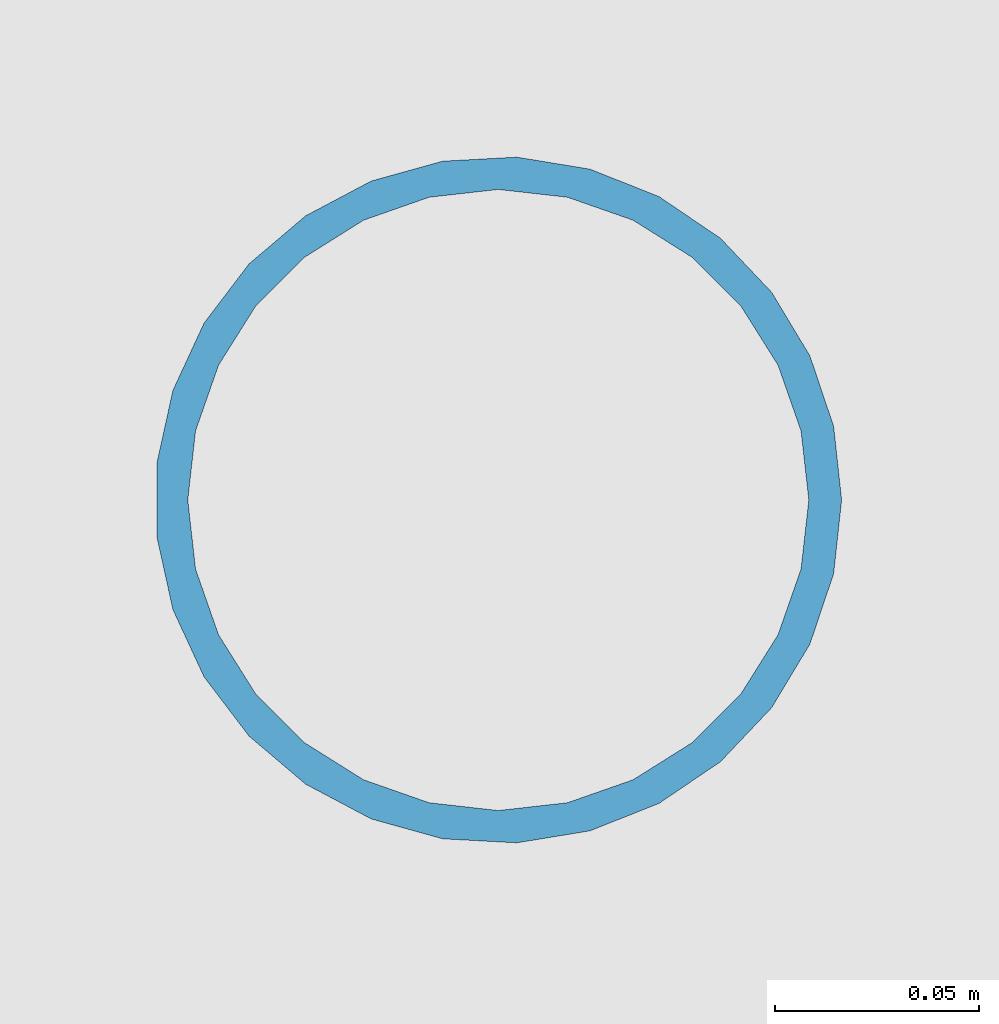
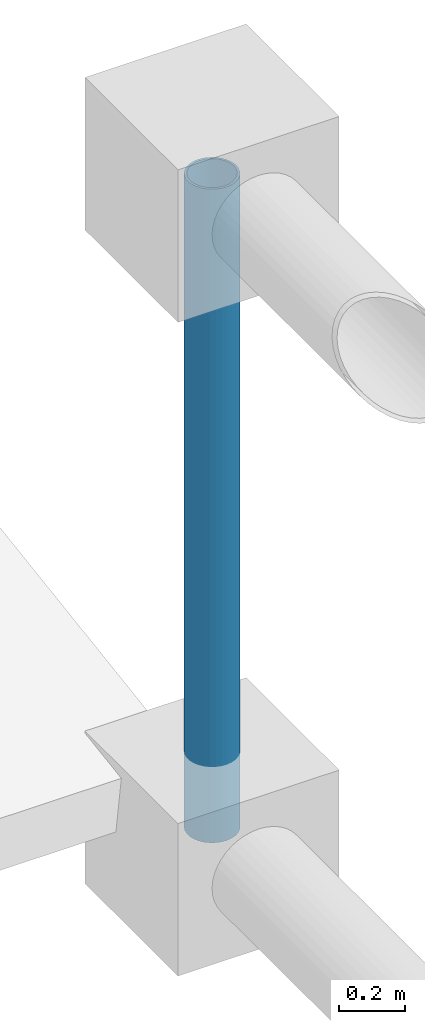
# One storey, part 96 of 148: 1 member.
"""IFC4 building model written with IfcOpenShell, lengths in metres."""

from ifc_helpers import new_model, si_unit, direction, frame, origin, origin_2d, place, context, subcontext, project, spatial, hollow_circle, extrude, material, material_profile, profile_set, type_object, element, save


model = new_model("IFC4")

# Units and contexts
model_context = context("Model", 3, precision=1e-05, world=origin(), true_north=direction((0.0, 1.0)))
body_context = subcontext(model_context, "Body", "Model", "MODEL_VIEW")
ifc_project = project(units=[si_unit("LENGTHUNIT", "METRE"), si_unit("AREAUNIT", "SQUARE_METRE"), si_unit("VOLUMEUNIT", "CUBIC_METRE"), si_unit("PLANEANGLEUNIT", "RADIAN"), si_unit("MASSUNIT", "GRAM", prefix="KILO")], contexts=[model_context])

# Site, building, storey
site_placement = place(None, origin())
site = spatial("IfcSite", under=ifc_project, at=site_placement, CompositionType="ELEMENT")
building_placement = place(site_placement, origin())
building = spatial("IfcBuilding", under=site, at=building_placement, Name="Trelvath General Hospital", CompositionType="ELEMENT")
storey_placement = place(building_placement, frame((0.0, 0.0, 12.89990234375)))
storey = spatial("IfcBuildingStorey", under=building, at=storey_placement, Name="L03", CompositionType="ELEMENT", Elevation=12.89990234375)

# Member
ifc_material = material(Name="Steel S355", Category="steel")
ifc_material_profile = material_profile(ifc_material, hollow_circle(Radius=0.084228515625, WallThickness=0.008056640625, at=origin_2d()), Name="CHS168.3x8.0")
ifc_profile_set = profile_set([ifc_material_profile], Name="Steel S355")
member_type = type_object("IfcMemberType", Name="SpaceFrameDiagStd CHS168", PredefinedType="BRACE", material=ifc_profile_set)
member_placement = place(storey_placement, frame((176.39990234375, 67.199951171875, 0.0), z_axis=(0.0, 0.0, 1.0), x_axis=(1.0, 0.0, 0.0)))
element("IfcMember", 1, at=member_placement, inside=storey, type_object=member_type, Name="Space Frame Web Post 7-8", PredefinedType="BRACE", context=body_context, shape_type="SweptSolid", body=[
    extrude(hollow_circle(Radius=0.084228515625, WallThickness=0.008056640625, at=origin_2d()), origin(), (0.0, 0.0, 1.0), 2.400146484375),
])

save(model, "model.ifc")
